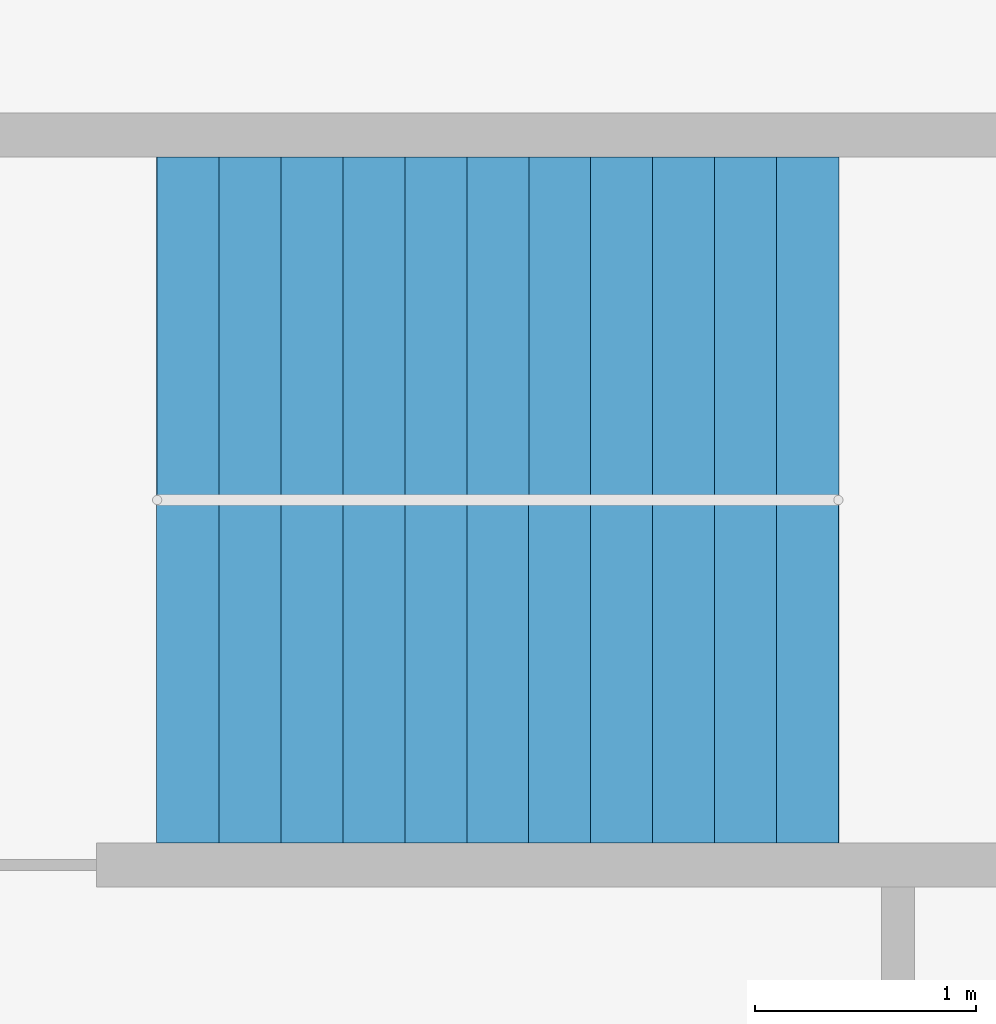
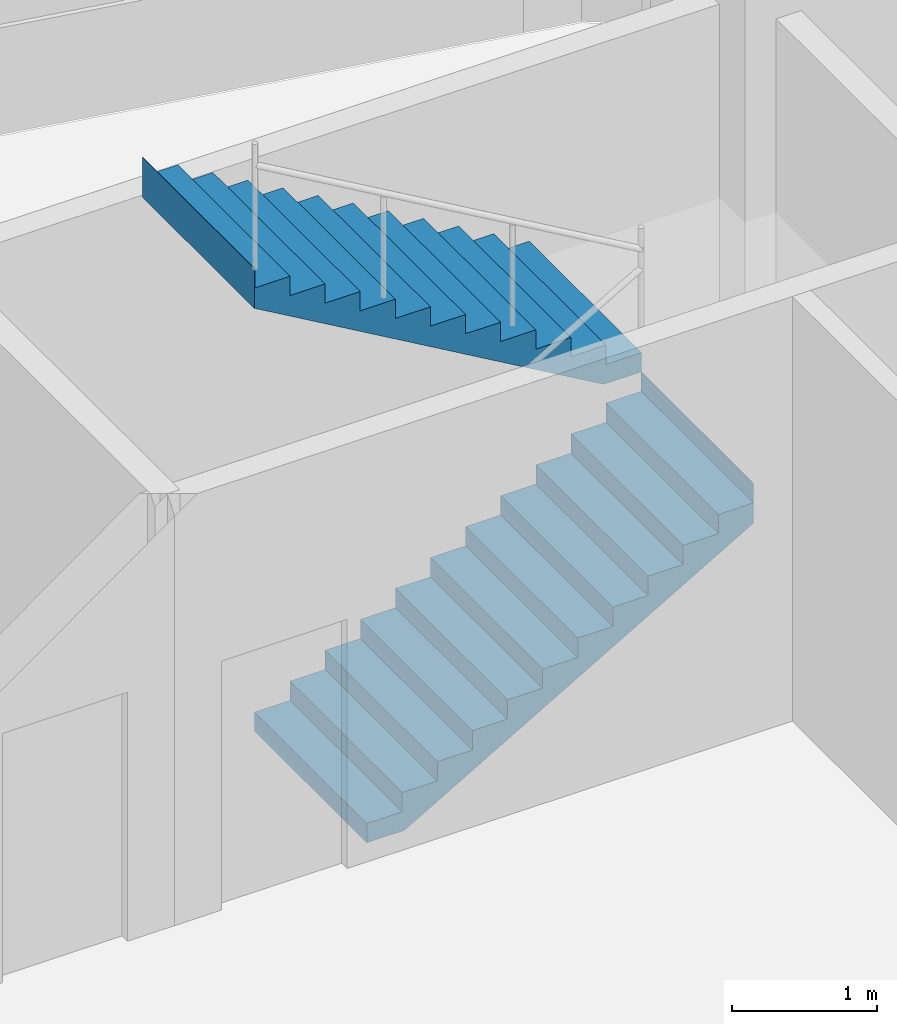
# One storey, part 8 of 10: 2 stair flights, 1 element without a shape of its own.
"""IFC4 building model written with IfcOpenShell, lengths in metres."""

from ifc_helpers import new_model, si_unit, direction, frame, origin, place, context, subcontext, project, spatial, polyline, outline, extrude, material, type_object, element, aggregate, save


model = new_model("IFC4")

# Units and contexts
model_context = context("Model", 3, precision=1e-05, world=origin(), true_north=direction((0.0, 1.0)))
body_context = subcontext(model_context, "Body", "Model", "MODEL_VIEW")
ifc_project = project(units=[si_unit("LENGTHUNIT", "METRE"), si_unit("AREAUNIT", "SQUARE_METRE"), si_unit("VOLUMEUNIT", "CUBIC_METRE"), si_unit("PLANEANGLEUNIT", "RADIAN"), si_unit("MASSUNIT", "GRAM", prefix="KILO")], contexts=[model_context])

# Site, building, storey
site_placement = place(None, origin())
site = spatial("IfcSite", under=ifc_project, at=site_placement, CompositionType="ELEMENT")
building_placement = place(site_placement, origin())
building = spatial("IfcBuilding", under=site, at=building_placement, Name="Qaws Garden Tower", CompositionType="ELEMENT")
storey_placement = place(building_placement, frame((0.0, 0.0, 178.5)))
storey = spatial("IfcBuildingStorey", under=building, at=storey_placement, Name="L43", CompositionType="ELEMENT", Elevation=178.5)

# Stair, stair flights
ifc_material_1 = material(Name="Concrete C40", Category="concrete")
stair_type = type_object("IfcStairType", Name="Exit stair 1350", PredefinedType="HALF_TURN_STAIR", material=ifc_material_1)
stair_placement = place(storey_placement, origin())
stair = element("IfcStair", 1, at=stair_placement, inside=storey, type_object=stair_type, Name="Stair 7", PredefinedType="HALF_TURN_STAIR")
ifc_material_2 = material(Name="Concrete C40", Category="concrete")
stair_flight_type = type_object("IfcStairFlightType", Name="Stair flight 1350", PredefinedType="STRAIGHT", material=ifc_material_2)
stair_flight_1_placement = place(storey_placement, frame((14.75, 67.375, 0.0), z_axis=(0.0, 0.0, 1.0), x_axis=(1.0, 0.0, 0.0)))
stair_flight_1 = element("IfcStairFlight", 2, at=stair_flight_1_placement, type_object=stair_flight_type, Name="ST7 flight 1", NumberOfRisers=12, NumberOfTreads=11, PredefinedType="STRAIGHT", RiserHeight=0.1625, TreadLength=0.28, context=body_context, shape_type="SweptSolid", body=[
    extrude(outline(polyline([(-0.0029296875, 0.0), (-0.0029296875, 0.16259765625), (0.0, 0.16259765625), (0.280029296875, 0.16259765625), (0.280029296875, 0.324951171875), (0.56005859375, 0.324951171875), (0.56005859375, 0.487548828125), (0.840087890625, 0.487548828125), (0.840087890625, 0.64990234375), (1.1201171875, 0.64990234375), (1.1201171875, 0.8125), (1.39990234375, 0.8125), (1.39990234375, 0.97509765625), (1.679931640625, 0.97509765625), (1.679931640625, 1.137451171875), (1.9599609375, 1.137451171875), (1.9599609375, 1.300048828125), (2.239990234375, 1.300048828125), (2.239990234375, 1.46240234375), (2.52001953125, 1.46240234375), (2.52001953125, 1.625), (2.800048828125, 1.625), (2.800048828125, 1.78759765625), (3.080078125, 1.78759765625), (3.080078125, 1.949951171875), (3.0830078125, 1.949951171875), (3.0830078125, 1.6142578125), (3.080078125, 1.6142578125), (0.298583984375, 0.0), (-0.0029296875, 0.0)])), frame((0.0, 0.77490234375, 0.0), z_axis=(0.0, -1.0, 0.0), x_axis=(1.0, 0.0, 0.0)), (0.0, 0.0, 1.0), 1.550048828125),
])
stair_flight_2_placement = place(storey_placement, frame((17.830078125, 68.925048828125, 1.949951171875), z_axis=(0.0, 0.0, 1.0), x_axis=(-1.0, 0.0, 0.0)))
stair_flight_2 = element("IfcStairFlight", 3, at=stair_flight_2_placement, type_object=stair_flight_type, Name="ST7 flight 2", NumberOfRisers=12, NumberOfTreads=11, PredefinedType="STRAIGHT", RiserHeight=0.1625, TreadLength=0.28, context=body_context, shape_type="SweptSolid", body=[
    extrude(outline(polyline([(-0.0029296875, 0.0), (-0.0029296875, 0.16259765625), (0.0, 0.16259765625), (0.280029296875, 0.16259765625), (0.280029296875, 0.324951171875), (0.56005859375, 0.324951171875), (0.56005859375, 0.487548828125), (0.840087890625, 0.487548828125), (0.840087890625, 0.64990234375), (1.1201171875, 0.64990234375), (1.1201171875, 0.8125), (1.39990234375, 0.8125), (1.39990234375, 0.97509765625), (1.679931640625, 0.97509765625), (1.679931640625, 1.137451171875), (1.9599609375, 1.137451171875), (1.9599609375, 1.300048828125), (2.239990234375, 1.300048828125), (2.239990234375, 1.46240234375), (2.52001953125, 1.46240234375), (2.52001953125, 1.625), (2.800048828125, 1.625), (2.800048828125, 1.78759765625), (3.080078125, 1.78759765625), (3.080078125, 1.949951171875), (3.0830078125, 1.949951171875), (3.0830078125, 1.6142578125), (3.080078125, 1.6142578125), (0.298583984375, 0.0), (-0.0029296875, 0.0)])), frame((0.0, 0.77490234375, 0.0), z_axis=(0.0, -1.0, 0.0), x_axis=(1.0, 0.0, 0.0)), (0.0, 0.0, 1.0), 1.550048828125),
])
aggregate(stair, [stair_flight_1, stair_flight_2])

save(model, "model.ifc")
